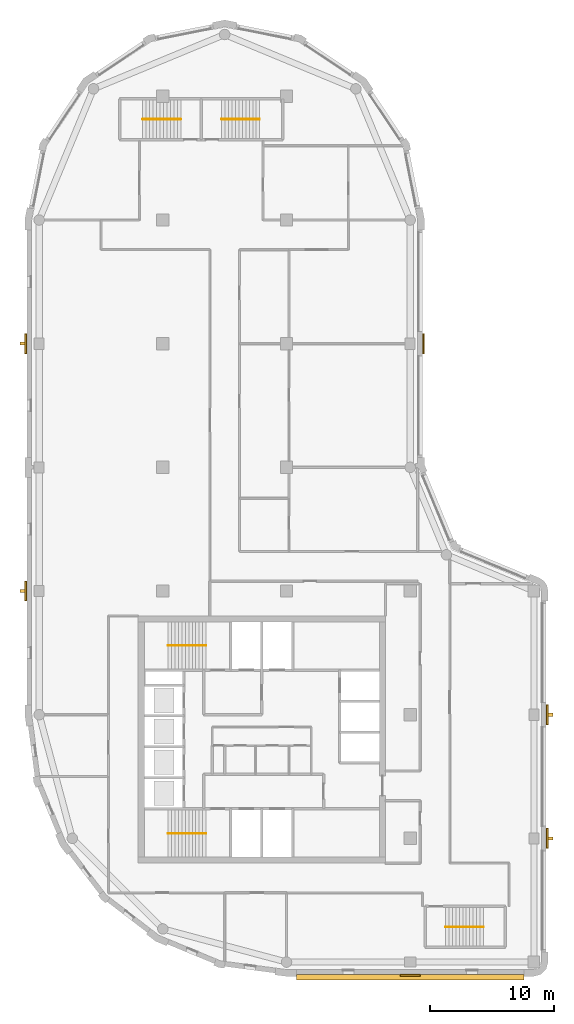
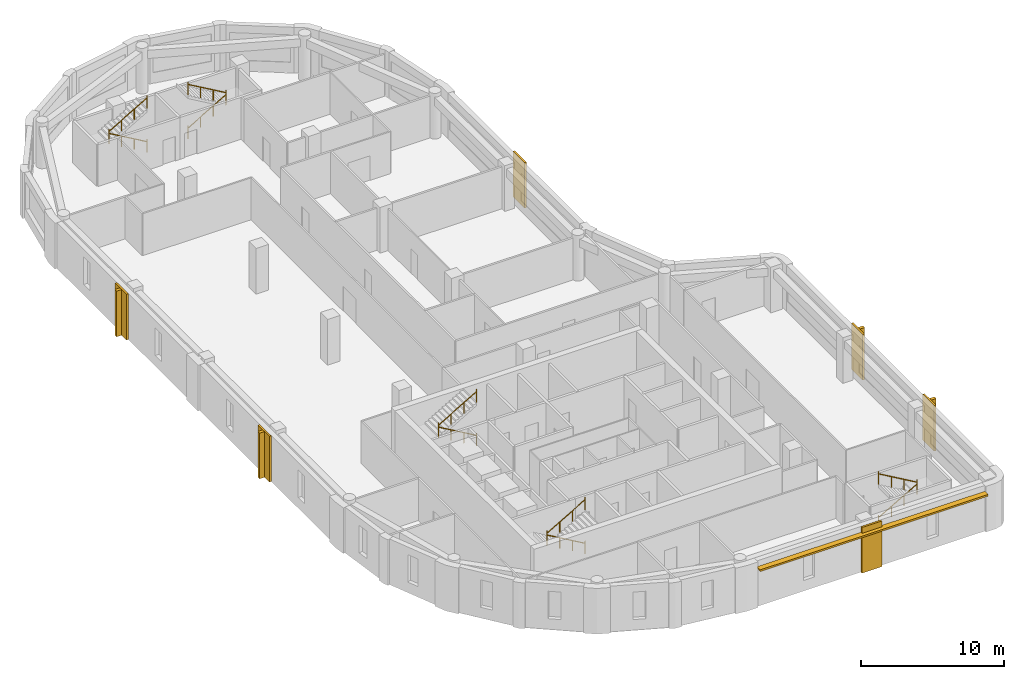
# One storey, part 7 of 8: 10 railings, 6 coverings, 5 shading devices.
"""IFC4 building model written with IfcOpenShell, lengths in metres."""

from ifc_helpers import new_model, si_unit, direction, frame, origin, origin_2d, place, context, subcontext, project, spatial, polyline, rectangle, circle, outline, extrude, material, layer, layer_set, type_object, element, save


model = new_model("IFC4")

# Units and contexts
model_context = context("Model", 3, precision=1e-05, world=origin(), true_north=direction((0.0, 1.0)))
body_context = subcontext(model_context, "Body", "Model", "MODEL_VIEW")
ifc_project = project(units=[si_unit("LENGTHUNIT", "METRE"), si_unit("AREAUNIT", "SQUARE_METRE"), si_unit("VOLUMEUNIT", "CUBIC_METRE"), si_unit("PLANEANGLEUNIT", "RADIAN"), si_unit("MASSUNIT", "GRAM", prefix="KILO")], contexts=[model_context])

# Site, building, storey
site_placement = place(None, origin())
site = spatial("IfcSite", under=ifc_project, at=site_placement, CompositionType="ELEMENT")
building_placement = place(site_placement, origin())
building = spatial("IfcBuilding", under=site, at=building_placement, Name="Qaws Garden Tower", CompositionType="ELEMENT")
storey_placement = place(building_placement, frame((0.0, 0.0, 290.39990234375)))
storey = spatial("IfcBuildingStorey", under=building, at=storey_placement, Name="L70", CompositionType="ELEMENT", Elevation=290.39990234375)

# Coverings
ifc_material_1 = material(Name="Clay facing brick masonry", Category="masonry")
ifc_layer_1 = layer(ifc_material_1, 0.14990234375)
ifc_layer_set_1 = layer_set([ifc_layer_1], Name="Clay facing brick masonry")
covering_type = type_object("IfcCoveringType", Name="Brick pilaster facing 150 x 1600", PredefinedType="CLADDING", material=ifc_layer_set_1)
placement = place(storey_placement, origin())
element("IfcCovering", 1, at=placement, inside=storey, type_object=covering_type, Name="E-L70-pier-01", PredefinedType="CLADDING", context=body_context, shape_type="SweptSolid", body=[
    extrude(outline(polyline([(29.199951171875, -1.0), (30.800048828125, -1.0), (30.800048828125, -1.14990234375), (29.199951171875, -1.14990234375), (29.199951171875, -1.0)])), origin(), (0.0, 0.0, 1.0), 3.900146484375),
])
element("IfcCovering", 2, at=placement, inside=storey, type_object=covering_type, Name="E-L70-pier-03", PredefinedType="CLADDING", context=body_context, shape_type="SweptSolid", body=[
    extrude(outline(polyline([(41.0, 9.199951171875), (41.0, 10.800048828125), (41.14990234375, 10.800048828125), (41.14990234375, 9.199951171875), (41.0, 9.199951171875)])), origin(), (0.0, 0.0, 1.0), 3.900146484375),
])
element("IfcCovering", 3, at=placement, inside=storey, type_object=covering_type, Name="E-L70-pier-04", PredefinedType="CLADDING", context=body_context, shape_type="SweptSolid", body=[
    extrude(outline(polyline([(41.0, 19.199951171875), (41.0, 20.800048828125), (41.14990234375, 20.800048828125), (41.14990234375, 19.199951171875), (41.0, 19.199951171875)])), origin(), (0.0, 0.0, 1.0), 3.900146484375),
])
element("IfcCovering", 4, at=placement, inside=storey, type_object=covering_type, Name="E-L70-pier-08", PredefinedType="CLADDING", context=body_context, shape_type="SweptSolid", body=[
    extrude(outline(polyline([(31.0, 49.199951171875), (31.0, 50.800048828125), (31.14990234375, 50.800048828125), (31.14990234375, 49.199951171875), (31.0, 49.199951171875)])), origin(), (0.0, 0.0, 1.0), 3.900146484375),
])
element("IfcCovering", 5, at=placement, inside=storey, type_object=covering_type, Name="E-L70-pier-18", PredefinedType="CLADDING", context=body_context, shape_type="SweptSolid", body=[
    extrude(outline(polyline([(-1.0, 50.800048828125), (-1.0, 49.199951171875), (-1.14990234375, 49.199951171875), (-1.14990234375, 50.800048828125), (-1.0, 50.800048828125)])), origin(), (0.0, 0.0, 1.0), 3.900146484375),
])
element("IfcCovering", 6, at=placement, inside=storey, type_object=covering_type, Name="E-L70-pier-20", PredefinedType="CLADDING", context=body_context, shape_type="SweptSolid", body=[
    extrude(outline(polyline([(-1.0, 30.800048828125), (-1.0, 29.199951171875), (-1.14990234375, 29.199951171875), (-1.14990234375, 30.800048828125), (-1.0, 30.800048828125)])), origin(), (0.0, 0.0, 1.0), 3.900146484375),
])

# Shading devices
ifc_material_2 = material(Name="Clay facing brick masonry", Category="masonry")
ifc_layer_2 = layer(ifc_material_2, 0.14990234375)
ifc_layer_set_2 = layer_set([ifc_layer_2], Name="Clay facing brick masonry")
shading_device_type_1 = type_object("IfcShadingDeviceType", Name="Brick sunshade band 450 x 150", PredefinedType="JALOUSIE", material=ifc_layer_set_2)
shading_device_placement = place(storey_placement, frame((0.0, 0.0, 3.25)))
element("IfcShadingDevice", 7, at=shading_device_placement, inside=storey, type_object=shading_device_type_1, Name="SUNSHADE 00", PredefinedType="JALOUSIE", context=body_context, shape_type="SweptSolid", body=[
    extrude(outline(polyline([(20.800048828125, -1.0), (20.800048828125, -1.449951171875), (39.199951171875, -1.449951171875), (39.199951171875, -1.0), (30.800048828125, -1.0), (30.800048828125, -1.14990234375), (29.199951171875, -1.14990234375), (29.199951171875, -1.0), (20.800048828125, -1.0)])), origin(), (0.0, 0.0, 1.0), 0.150146484375),
])
ifc_material_3 = material(Name="Clay facing brick masonry", Category="masonry")
ifc_layer_3 = layer(ifc_material_3, 0.25)
ifc_layer_set_3 = layer_set([ifc_layer_3], Name="Clay facing brick masonry")
shading_device_type_2 = type_object("IfcShadingDeviceType", Name="Brick-faced fin 250 x 400", PredefinedType="USERDEFINED", material=ifc_layer_set_3)
for number, where, z_axis, x_axis, name in (
    (8, (41.35009765625, 10.0, 0.000244140625), (0.0, 0.0, 1.0), (0.0, 1.0, 0.0), "FIN 03"),
    (9, (41.35009765625, 20.0, 0.000244140625), (0.0, 0.0, 1.0), (0.0, 1.0, 0.0), "FIN 04"),
    (10, (-1.35009765625, 50.0, 0.000244140625), (0.0, 0.0, 1.0), (0.0, -1.0, 0.0), "FIN 18"),
    (11, (-1.35009765625, 30.0, 0.000244140625), (0.0, 0.0, 1.0), (0.0, -1.0, 0.0), "FIN 20"),
):
    element("IfcShadingDevice", number, at=place(storey_placement, frame(where, z_axis=z_axis, x_axis=x_axis)), inside=storey, type_object=shading_device_type_2, Name=name, ObjectType="FIN", PredefinedType="USERDEFINED", context=body_context, shape_type="SweptSolid", body=[
        extrude(rectangle(XDim=0.25, YDim=0.39990234375, at=origin_2d()), origin(), (0.0, 0.0, 1.0), 3.89990234375),
    ])

# Railings
ifc_material_4 = material(Name="Steel S355", Category="steel")
railing_type = type_object("IfcRailingType", Name="Stair handrail 900", PredefinedType="HANDRAIL", material=ifc_material_4)
railing_1_placement = place(storey_placement, frame((13.5, 10.39990234375, 0.16259765625)))
element("IfcRailing", 12, at=railing_1_placement, inside=storey, type_object=railing_type, Name="Stair 1 handrail", PredefinedType="HANDRAIL", context=body_context, shape_type="SweptSolid", body=[
    extrude(circle(Radius=0.02392578125, at=origin_2d()), frame((0.0, 0.0, 0.8759765625), z_axis=(-0.864890721111, 0.0, 0.501960198159), x_axis=(0.0, -1.0, 0.0)), (0.0, 0.0, 1.0), 3.561279296875),
    extrude(circle(Radius=0.02099609375, at=origin_2d()), origin(), (0.0, 0.0, 1.0), 1.06201171875),
    extrude(circle(Radius=0.02099609375, at=origin_2d()), frame((-1.026611328125, 0.0, 0.595947265625)), (0.0, 0.0, 1.0), 0.851806640625),
    extrude(circle(Radius=0.02099609375, at=origin_2d()), frame((-2.053466796875, 0.0, 1.191650390625)), (0.0, 0.0, 1.0), 0.851806640625),
    extrude(circle(Radius=0.02099609375, at=origin_2d()), frame((-3.080078125, 0.0, 1.78759765625)), (0.0, 0.0, 1.0), 1.06201171875),
])
railing_2_placement = place(storey_placement, frame((10.419921875, 10.39990234375, 2.112548828125)))
element("IfcRailing", 13, at=railing_2_placement, inside=storey, type_object=railing_type, Name="Stair 1 handrail", PredefinedType="HANDRAIL", context=body_context, shape_type="SweptSolid", body=[
    extrude(circle(Radius=0.02392578125, at=origin_2d()), frame((0.0, 0.0, 0.8759765625), z_axis=(0.864890721111, 0.0, 0.501960198159), x_axis=(0.0, 1.0, 0.0)), (0.0, 0.0, 1.0), 3.561279296875),
    extrude(circle(Radius=0.02099609375, at=origin_2d()), origin(), (0.0, 0.0, 1.0), 1.06201171875),
    extrude(circle(Radius=0.02099609375, at=origin_2d()), frame((1.026611328125, 0.0, 0.595947265625)), (0.0, 0.0, 1.0), 0.851806640625),
    extrude(circle(Radius=0.02099609375, at=origin_2d()), frame((2.053466796875, 0.0, 1.191650390625)), (0.0, 0.0, 1.0), 0.851806640625),
    extrude(circle(Radius=0.02099609375, at=origin_2d()), frame((3.080078125, 0.0, 1.78759765625)), (0.0, 0.0, 1.0), 1.06201171875),
])
railing_3_placement = place(storey_placement, frame((13.5, 25.60009765625, 0.16259765625)))
element("IfcRailing", 14, at=railing_3_placement, inside=storey, type_object=railing_type, Name="Stair 4 handrail", PredefinedType="HANDRAIL", context=body_context, shape_type="SweptSolid", body=[
    extrude(circle(Radius=0.02392578125, at=origin_2d()), frame((0.0, 0.0, 0.8759765625), z_axis=(-0.864890721111, 0.0, 0.501960198159), x_axis=(0.0, -1.0, 0.0)), (0.0, 0.0, 1.0), 3.561279296875),
    extrude(circle(Radius=0.02099609375, at=origin_2d()), origin(), (0.0, 0.0, 1.0), 1.06201171875),
    extrude(circle(Radius=0.02099609375, at=origin_2d()), frame((-1.026611328125, 0.0, 0.595947265625)), (0.0, 0.0, 1.0), 0.851806640625),
    extrude(circle(Radius=0.02099609375, at=origin_2d()), frame((-2.053466796875, 0.0, 1.191650390625)), (0.0, 0.0, 1.0), 0.851806640625),
    extrude(circle(Radius=0.02099609375, at=origin_2d()), frame((-3.080078125, 0.0, 1.78759765625)), (0.0, 0.0, 1.0), 1.06201171875),
])
railing_4_placement = place(storey_placement, frame((10.419921875, 25.60009765625, 2.112548828125)))
element("IfcRailing", 15, at=railing_4_placement, inside=storey, type_object=railing_type, Name="Stair 4 handrail", PredefinedType="HANDRAIL", context=body_context, shape_type="SweptSolid", body=[
    extrude(circle(Radius=0.02392578125, at=origin_2d()), frame((0.0, 0.0, 0.8759765625), z_axis=(0.864890721111, 0.0, 0.501960198159), x_axis=(0.0, 1.0, 0.0)), (0.0, 0.0, 1.0), 3.561279296875),
    extrude(circle(Radius=0.02099609375, at=origin_2d()), origin(), (0.0, 0.0, 1.0), 1.06201171875),
    extrude(circle(Radius=0.02099609375, at=origin_2d()), frame((1.026611328125, 0.0, 0.595947265625)), (0.0, 0.0, 1.0), 0.851806640625),
    extrude(circle(Radius=0.02099609375, at=origin_2d()), frame((2.053466796875, 0.0, 1.191650390625)), (0.0, 0.0, 1.0), 0.851806640625),
    extrude(circle(Radius=0.02099609375, at=origin_2d()), frame((3.080078125, 0.0, 1.78759765625)), (0.0, 0.0, 1.0), 1.06201171875),
])
railing_5_placement = place(storey_placement, frame((32.85009765625, 2.85009765625, 0.16259765625)))
element("IfcRailing", 16, at=railing_5_placement, inside=storey, type_object=railing_type, Name="Stair 5 handrail", PredefinedType="HANDRAIL", context=body_context, shape_type="SweptSolid", body=[
    extrude(circle(Radius=0.02392578125, at=origin_2d()), frame((0.0, 0.0, 0.8759765625), z_axis=(0.864873446163, 0.0, 0.501989962173), x_axis=(0.0, 1.0, 0.0)), (0.0, 0.0, 1.0), 3.56103515625),
    extrude(circle(Radius=0.02099609375, at=origin_2d()), origin(), (0.0, 0.0, 1.0), 1.06201171875),
    extrude(circle(Radius=0.02099609375, at=origin_2d()), frame((1.026611328125, 0.0, 0.595947265625)), (0.0, 0.0, 1.0), 0.851806640625),
    extrude(circle(Radius=0.02099609375, at=origin_2d()), frame((2.05322265625, 0.0, 1.191650390625)), (0.0, 0.0, 1.0), 0.851806640625),
    extrude(circle(Radius=0.02099609375, at=origin_2d()), frame((3.079833984375, 0.0, 1.78759765625)), (0.0, 0.0, 1.0), 1.06201171875),
])
for number, where, name in (
    (17, (35.929931640625, 2.85009765625, 2.112548828125), "Stair 5 handrail"),
    (18, (11.449951171875, 68.14990234375, 0.16259765625), "Stair 6 handrail"),
):
    element("IfcRailing", number, at=place(storey_placement, frame(where)), inside=storey, type_object=railing_type, Name=name, PredefinedType="HANDRAIL", context=body_context, shape_type="SweptSolid", body=[
        extrude(circle(Radius=0.02392578125, at=origin_2d()), frame((0.0, 0.0, 0.8759765625), z_axis=(-0.864873446163, 0.0, 0.501989962173), x_axis=(0.0, -1.0, 0.0)), (0.0, 0.0, 1.0), 3.56103515625),
        extrude(circle(Radius=0.02099609375, at=origin_2d()), origin(), (0.0, 0.0, 1.0), 1.06201171875),
        extrude(circle(Radius=0.02099609375, at=origin_2d()), frame((-1.026611328125, 0.0, 0.595947265625)), (0.0, 0.0, 1.0), 0.851806640625),
        extrude(circle(Radius=0.02099609375, at=origin_2d()), frame((-2.05322265625, 0.0, 1.191650390625)), (0.0, 0.0, 1.0), 0.851806640625),
        extrude(circle(Radius=0.02099609375, at=origin_2d()), frame((-3.079833984375, 0.0, 1.78759765625)), (0.0, 0.0, 1.0), 1.06201171875),
    ])
railing_6_placement = place(storey_placement, frame((8.3701171875, 68.14990234375, 2.112548828125)))
element("IfcRailing", 19, at=railing_6_placement, inside=storey, type_object=railing_type, Name="Stair 6 handrail", PredefinedType="HANDRAIL", context=body_context, shape_type="SweptSolid", body=[
    extrude(circle(Radius=0.02392578125, at=origin_2d()), frame((0.0, 0.0, 0.8759765625), z_axis=(0.864873446163, 0.0, 0.501989962173), x_axis=(0.0, 1.0, 0.0)), (0.0, 0.0, 1.0), 3.56103515625),
    extrude(circle(Radius=0.02099609375, at=origin_2d()), origin(), (0.0, 0.0, 1.0), 1.06201171875),
    extrude(circle(Radius=0.02099609375, at=origin_2d()), frame((1.026611328125, 0.0, 0.595947265625)), (0.0, 0.0, 1.0), 0.851806640625),
    extrude(circle(Radius=0.02099609375, at=origin_2d()), frame((2.05322265625, 0.0, 1.191650390625)), (0.0, 0.0, 1.0), 0.851806640625),
    extrude(circle(Radius=0.02099609375, at=origin_2d()), frame((3.079833984375, 0.0, 1.78759765625)), (0.0, 0.0, 1.0), 1.06201171875),
])
railing_7_placement = place(storey_placement, frame((14.75, 68.14990234375, 0.16259765625)))
element("IfcRailing", 20, at=railing_7_placement, inside=storey, type_object=railing_type, Name="Stair 7 handrail", PredefinedType="HANDRAIL", context=body_context, shape_type="SweptSolid", body=[
    extrude(circle(Radius=0.02392578125, at=origin_2d()), frame((0.0, 0.0, 0.8759765625), z_axis=(0.864890721111, 0.0, 0.501960198159), x_axis=(0.0, 1.0, 0.0)), (0.0, 0.0, 1.0), 3.561279296875),
    extrude(circle(Radius=0.02099609375, at=origin_2d()), origin(), (0.0, 0.0, 1.0), 1.06201171875),
    extrude(circle(Radius=0.02099609375, at=origin_2d()), frame((1.026611328125, 0.0, 0.595947265625)), (0.0, 0.0, 1.0), 0.851806640625),
    extrude(circle(Radius=0.02099609375, at=origin_2d()), frame((2.053466796875, 0.0, 1.191650390625)), (0.0, 0.0, 1.0), 0.851806640625),
    extrude(circle(Radius=0.02099609375, at=origin_2d()), frame((3.080078125, 0.0, 1.78759765625)), (0.0, 0.0, 1.0), 1.06201171875),
])
railing_8_placement = place(storey_placement, frame((17.830078125, 68.14990234375, 2.112548828125)))
element("IfcRailing", 21, at=railing_8_placement, inside=storey, type_object=railing_type, Name="Stair 7 handrail", PredefinedType="HANDRAIL", context=body_context, shape_type="SweptSolid", body=[
    extrude(circle(Radius=0.02392578125, at=origin_2d()), frame((0.0, 0.0, 0.8759765625), z_axis=(-0.864890721111, 0.0, 0.501960198159), x_axis=(0.0, -1.0, 0.0)), (0.0, 0.0, 1.0), 3.561279296875),
    extrude(circle(Radius=0.02099609375, at=origin_2d()), origin(), (0.0, 0.0, 1.0), 1.06201171875),
    extrude(circle(Radius=0.02099609375, at=origin_2d()), frame((-1.026611328125, 0.0, 0.595947265625)), (0.0, 0.0, 1.0), 0.851806640625),
    extrude(circle(Radius=0.02099609375, at=origin_2d()), frame((-2.053466796875, 0.0, 1.191650390625)), (0.0, 0.0, 1.0), 0.851806640625),
    extrude(circle(Radius=0.02099609375, at=origin_2d()), frame((-3.080078125, 0.0, 1.78759765625)), (0.0, 0.0, 1.0), 1.06201171875),
])

save(model, "model.ifc")
